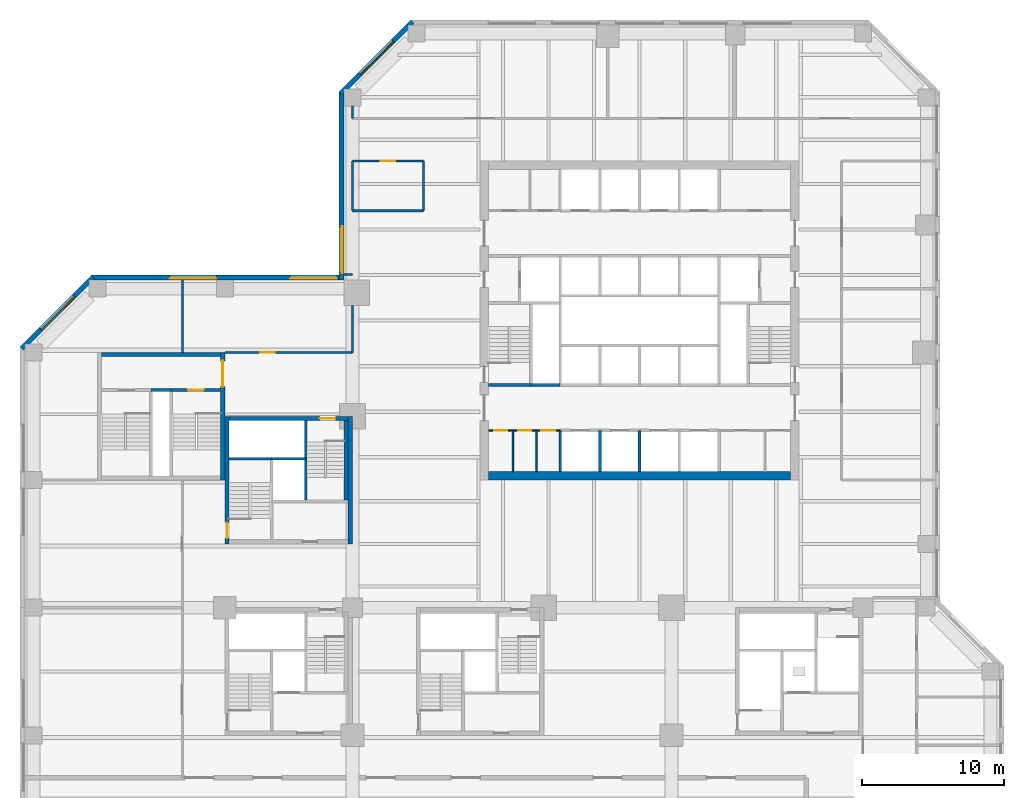
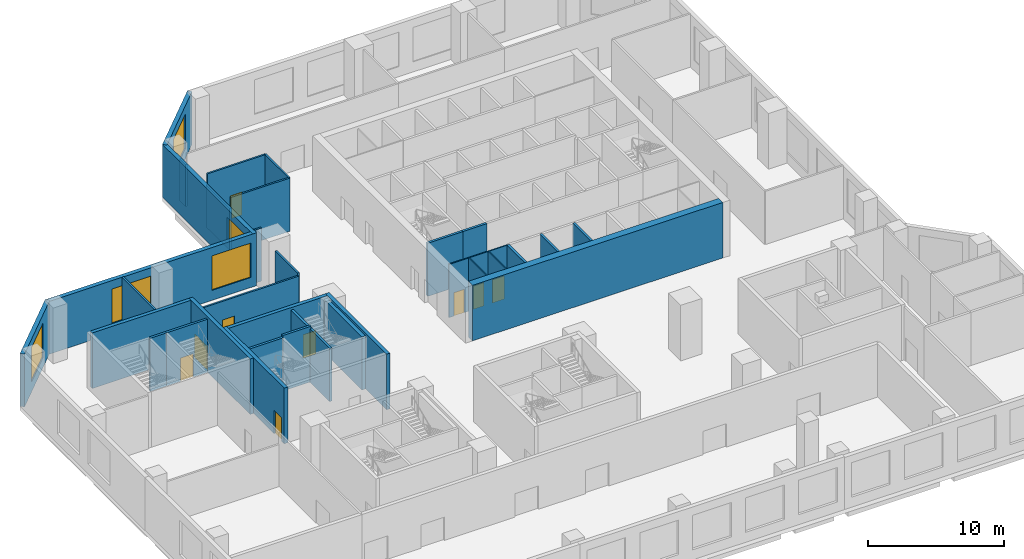
# One storey, part 6 of 12: 33 walls, 9 doors, 5 windows, 14 openings.
"""IFC4 building model written with IfcOpenShell, lengths in metres."""

from ifc_helpers import new_model, si_unit, direction, frame, frame_2d, origin, place, context, subcontext, project, spatial, rectangle, extrude, material, layer, layer_set, constituent, constituent_set, type_object, element, fill, save


model = new_model("IFC4")

# Units and contexts
model_context = context("Model", 3, precision=1e-05, world=origin(), true_north=direction((0.0, 1.0)))
body_context = subcontext(model_context, "Body", "Model", "MODEL_VIEW")
ifc_project = project(units=[si_unit("LENGTHUNIT", "METRE"), si_unit("AREAUNIT", "SQUARE_METRE"), si_unit("VOLUMEUNIT", "CUBIC_METRE"), si_unit("PLANEANGLEUNIT", "RADIAN"), si_unit("MASSUNIT", "GRAM", prefix="KILO")], contexts=[model_context])

# Site, building, storey
site_placement = place(None, origin())
site = spatial("IfcSite", under=ifc_project, at=site_placement, CompositionType="ELEMENT")
building_placement = place(site_placement, origin())
building = spatial("IfcBuilding", under=site, at=building_placement, Name="Quoin Convention Tower", CompositionType="ELEMENT")
storey_placement = place(building_placement, frame((0.0, 0.0, 13.5)))
storey = spatial("IfcBuildingStorey", under=building, at=storey_placement, Name="L02", CompositionType="ELEMENT", Elevation=13.5)

# Wall, opening, window
ifc_material_1 = material(Name="Brick masonry", Category="masonry")
ifc_layer_1 = layer(ifc_material_1, 0.35009765625)
ifc_layer_set_1 = layer_set([ifc_layer_1], Name="Brick masonry")
wall_type_1 = type_object("IfcWallType", Name="Brick facade wall", PredefinedType="STANDARD", material=ifc_layer_set_1)
wall_1_placement = place(storey_placement, frame((40.230224609375, 81.826416015625, 0.0), z_axis=(0.0, 0.0, 1.0), x_axis=(-0.707106781187, -0.707106781187, 0.0)))
wall_1 = element("IfcWall", 1, at=wall_1_placement, inside=storey, type_object=wall_type_1, Name="fw-L02-40500_81000", PredefinedType="STANDARD", context=body_context, shape_type="SweptSolid", body=[
    extrude(rectangle(XDim=7.151123046875, YDim=0.35009765625, at=frame_2d((3.57568359375, 0.0))), origin(), (0.0, 0.0, 1.0), 4.7548828125),
])
opening_1_placement = place(wall_1_placement, frame((1.925537109375, 0.0, 0.89990234375)))
opening_1 = element("IfcOpeningElement", 2, at=opening_1_placement, cuts=wall_1, Name="Opening W-05", PredefinedType="OPENING", context=body_context, shape_type="SweptSolid", body=[
    extrude(rectangle(XDim=3.300048828125, YDim=3.10009765625, at=frame_2d((1.64990234375, 1.550048828125))), frame((0.0, 0.18505859375, 0.0), z_axis=(0.0, -1.0, 0.0), x_axis=(1.0, 0.0, 0.0)), (0.0, 0.0, 1.0), 0.3701171875),
])
ifc_material_2 = material(Name="Aluminium", Category="aluminium")
ifc_constituent_1 = constituent(ifc_material_2, Name="Frame")
ifc_material_3 = material(Name="Insulated glass", Category="glass")
ifc_constituent_2 = constituent(ifc_material_3, Name="Glazing")
ifc_constituent_set = constituent_set(constituents=[ifc_constituent_1, ifc_constituent_2], Name="Aluminium")
window_type = type_object("IfcWindowType", Name="Convention window L02", PartitioningType="TRIPLE_PANEL_VERTICAL", PredefinedType="WINDOW", material=ifc_constituent_set)
window_1_placement = place(opening_1_placement, origin())
window_1 = element("IfcWindow", 3, at=window_1_placement, inside=storey, type_object=window_type, Name="win-L02-37702_79298", OverallHeight=3.10009765625, OverallWidth=3.300048828125, PartitioningType="SINGLE_PANEL", PredefinedType="WINDOW", context=body_context, shape_type="SweptSolid", body=[
    extrude(rectangle(XDim=3.300048828125, YDim=3.10009765625, at=frame_2d((1.64990234375, 1.550048828125))), frame((0.0, 0.0849609375, 0.0), z_axis=(0.0, -1.0, 0.0), x_axis=(1.0, 0.0, 0.0)), (0.0, 0.0, 1.0), 0.06005859375),
])
fill(opening_1, window_1)

wall_2_placement = place(storey_placement, frame((35.22509765625, 76.8935546875, 0.0), z_axis=(0.0, 0.0, 1.0), x_axis=(0.0, -1.0, 0.0)))
wall_2 = element("IfcWall", 4, at=wall_2_placement, inside=storey, type_object=wall_type_1, Name="fw-L02-36000_76500", PredefinedType="STANDARD", context=body_context, shape_type="SweptSolid", body=[
    extrude(rectangle(XDim=13.29345703125, YDim=0.35009765625, at=frame_2d((6.646728515625, 0.0))), origin(), (0.0, 0.0, 1.0), 4.7548828125),
])
opening_2_placement = place(wall_2_placement, frame((9.493408203125, 0.0, 0.89990234375)))
opening_2 = element("IfcOpeningElement", 5, at=opening_2_placement, cuts=wall_2, Name="Opening W-05", PredefinedType="OPENING", context=body_context, shape_type="SweptSolid", body=[
    extrude(rectangle(XDim=3.300048828125, YDim=3.10009765625, at=frame_2d((1.64990234375, 1.550048828125))), frame((0.0, 0.18505859375, 0.0), z_axis=(0.0, -1.0, 0.0), x_axis=(1.0, 0.0, 0.0)), (0.0, 0.0, 1.0), 0.3701171875),
])
window_2_placement = place(opening_2_placement, origin())
window_2 = element("IfcWindow", 6, at=window_2_placement, inside=storey, type_object=window_type, Name="win-L02-35225_65250", OverallHeight=3.10009765625, OverallWidth=3.300048828125, PartitioningType="SINGLE_PANEL", PredefinedType="WINDOW", context=body_context, shape_type="SweptSolid", body=[
    extrude(rectangle(XDim=3.300048828125, YDim=3.10009765625, at=frame_2d((1.64990234375, 1.550048828125))), frame((0.0, 0.0849609375, 0.0), z_axis=(0.0, -1.0, 0.0), x_axis=(1.0, 0.0, 0.0)), (0.0, 0.0, 1.0), 0.06005859375),
])
fill(opening_2, window_2)

# Wall, openings, windows
wall_3_placement = place(storey_placement, frame((35.39990234375, 63.77490234375, 0.0), z_axis=(0.0, 0.0, 1.0), x_axis=(-1.0, 0.0, 0.0)))
wall_3 = element("IfcWall", 7, at=wall_3_placement, inside=storey, type_object=wall_type_1, Name="fw-L02-36000_63000", PredefinedType="STANDARD", context=body_context, shape_type="SweptSolid", body=[
    extrude(rectangle(XDim=17.79345703125, YDim=0.35009765625, at=frame_2d((8.896728515625, 0.0))), origin(), (0.0, 0.0, 1.0), 4.7548828125),
])
opening_3_placement = place(wall_3_placement, frame((0.5, 0.0, 0.89990234375)))
opening_3 = element("IfcOpeningElement", 8, at=opening_3_placement, cuts=wall_3, Name="Opening W-05", PredefinedType="OPENING", context=body_context, shape_type="SweptSolid", body=[
    extrude(rectangle(XDim=3.300048828125, YDim=3.10009765625, at=frame_2d((1.64990234375, 1.550048828125))), frame((0.0, 0.18505859375, 0.0), z_axis=(0.0, -1.0, 0.0), x_axis=(1.0, 0.0, 0.0)), (0.0, 0.0, 1.0), 0.3701171875),
])
opening_4_placement = place(wall_3_placement, frame((9.0, 0.0, 0.89990234375)))
opening_4 = element("IfcOpeningElement", 9, at=opening_4_placement, cuts=wall_3, Name="Opening W-05", PredefinedType="OPENING", context=body_context, shape_type="SweptSolid", body=[
    extrude(rectangle(XDim=3.300048828125, YDim=3.10009765625, at=frame_2d((1.64990234375, 1.550048828125))), frame((0.0, 0.18505859375, 0.0), z_axis=(0.0, -1.0, 0.0), x_axis=(1.0, 0.0, 0.0)), (0.0, 0.0, 1.0), 0.3701171875),
])
window_3_placement = place(opening_3_placement, origin())
window_3 = element("IfcWindow", 10, at=window_3_placement, inside=storey, type_object=window_type, Name="win-L02-33750_63775", OverallHeight=3.10009765625, OverallWidth=3.300048828125, PartitioningType="SINGLE_PANEL", PredefinedType="WINDOW", context=body_context, shape_type="SweptSolid", body=[
    extrude(rectangle(XDim=3.300048828125, YDim=3.10009765625, at=frame_2d((1.64990234375, 1.550048828125))), frame((0.0, 0.0849609375, 0.0), z_axis=(0.0, -1.0, 0.0), x_axis=(1.0, 0.0, 0.0)), (0.0, 0.0, 1.0), 0.06005859375),
])
fill(opening_3, window_3)
window_4_placement = place(opening_4_placement, origin())
window_4 = element("IfcWindow", 11, at=window_4_placement, inside=storey, type_object=window_type, Name="win-L02-24750_63775", OverallHeight=3.10009765625, OverallWidth=3.300048828125, PartitioningType="SINGLE_PANEL", PredefinedType="WINDOW", context=body_context, shape_type="SweptSolid", body=[
    extrude(rectangle(XDim=3.300048828125, YDim=3.10009765625, at=frame_2d((1.64990234375, 1.550048828125))), frame((0.0, 0.0849609375, 0.0), z_axis=(0.0, -1.0, 0.0), x_axis=(1.0, 0.0, 0.0)), (0.0, 0.0, 1.0), 0.06005859375),
])
fill(opening_4, window_4)

# Wall, opening, window
wall_4_placement = place(storey_placement, frame((17.730224609375, 63.826416015625, 0.0), z_axis=(0.0, 0.0, 1.0), x_axis=(-0.707106781187, -0.707106781187, 0.0)))
wall_4 = element("IfcWall", 12, at=wall_4_placement, inside=storey, type_object=wall_type_1, Name="fw-L02-18000_63000", PredefinedType="STANDARD", context=body_context, shape_type="SweptSolid", body=[
    extrude(rectangle(XDim=7.151123046875, YDim=0.35009765625, at=frame_2d((3.57568359375, 0.0))), origin(), (0.0, 0.0, 1.0), 4.7548828125),
])
opening_5_placement = place(wall_4_placement, frame((1.925537109375, 0.0, 0.89990234375)))
opening_5 = element("IfcOpeningElement", 13, at=opening_5_placement, cuts=wall_4, Name="Opening W-05", PredefinedType="OPENING", context=body_context, shape_type="SweptSolid", body=[
    extrude(rectangle(XDim=3.300048828125, YDim=3.10009765625, at=frame_2d((1.64990234375, 1.550048828125))), frame((0.0, 0.18505859375, 0.0), z_axis=(0.0, -1.0, 0.0), x_axis=(1.0, 0.0, 0.0)), (0.0, 0.0, 1.0), 0.3701171875),
])
window_5_placement = place(opening_5_placement, origin())
window_5 = element("IfcWindow", 14, at=window_5_placement, inside=storey, type_object=window_type, Name="win-L02-15202_61298", OverallHeight=3.10009765625, OverallWidth=3.300048828125, PartitioningType="SINGLE_PANEL", PredefinedType="WINDOW", context=body_context, shape_type="SweptSolid", body=[
    extrude(rectangle(XDim=3.300048828125, YDim=3.10009765625, at=frame_2d((1.64990234375, 1.550048828125))), frame((0.0, 0.0849609375, 0.0), z_axis=(0.0, -1.0, 0.0), x_axis=(1.0, 0.0, 0.0)), (0.0, 0.0, 1.0), 0.06005859375),
])
fill(opening_5, window_5)

# Wall, openings, doors
ifc_material_4 = material(Name="Plasterboard")
ifc_layer_2 = layer(ifc_material_4, 0.012451171875, Name="Finish")
ifc_material_5 = material(Name="Steel stud framing", Category="steel")
ifc_layer_3 = layer(ifc_material_5, 0.074951171875, Name="Structure")
ifc_layer_4 = layer(ifc_material_4, 0.012451171875, Name="Finish")
ifc_layer_set_2 = layer_set([ifc_layer_2, ifc_layer_3, ifc_layer_4], Name="Steel stud framing")
wall_type_2 = type_object("IfcWallType", Name="Core partition wall", PredefinedType="PARTITIONING", material=ifc_layer_set_2)
wall_5_placement = place(storey_placement, frame((45.60009765625, 53.0, 0.0), z_axis=(0.0, 0.0, 1.0), x_axis=(1.0, 0.0, 0.0)))
wall_5 = element("IfcWall", 15, at=wall_5_placement, inside=storey, type_object=wall_type_2, Name="cr-C1-L02-h3500_600", PredefinedType="PARTITIONING", context=body_context, shape_type="SweptSolid", body=[
    extrude(rectangle(XDim=5.0498046875, YDim=0.10009765625, at=frame_2d((2.52490234375, 0.0))), origin(), (0.0, 0.0, 1.0), 4.780029296875),
])
opening_6_placement = place(wall_5_placement, frame((0.408447265625, 0.0, 0.0)))
opening_6 = element("IfcOpeningElement", 16, at=opening_6_placement, cuts=wall_5, Name="Opening DCV1-43", PredefinedType="OPENING", context=body_context, shape_type="SweptSolid", body=[
    extrude(rectangle(XDim=0.89990234375, YDim=2.10009765625, at=frame_2d((0.449951171875, 1.050048828125))), frame((0.0, 0.06005859375, 0.0), z_axis=(0.0, -1.0, 0.0), x_axis=(1.0, 0.0, 0.0)), (0.0, 0.0, 1.0), 0.1201171875),
])
opening_7_placement = place(wall_5_placement, frame((2.10009765625, 0.0, 0.0)))
opening_7 = element("IfcOpeningElement", 17, at=opening_7_placement, cuts=wall_5, Name="Opening DCV1-44", PredefinedType="OPENING", context=body_context, shape_type="SweptSolid", body=[
    extrude(rectangle(XDim=0.89990234375, YDim=2.10009765625, at=frame_2d((0.449951171875, 1.050048828125))), frame((0.0, 0.06005859375, 0.0), z_axis=(0.0, -1.0, 0.0), x_axis=(1.0, 0.0, 0.0)), (0.0, 0.0, 1.0), 0.1201171875),
])
opening_8_placement = place(wall_5_placement, frame((3.716796875, 0.0, 0.0)))
opening_8 = element("IfcOpeningElement", 18, at=opening_8_placement, cuts=wall_5, Name="Opening DCV1-45", PredefinedType="OPENING", context=body_context, shape_type="SweptSolid", body=[
    extrude(rectangle(XDim=1.0, YDim=2.10009765625, at=frame_2d((0.5, 1.050048828125))), frame((0.0, 0.06005859375, 0.0), z_axis=(0.0, -1.0, 0.0), x_axis=(1.0, 0.0, 0.0)), (0.0, 0.0, 1.0), 0.1201171875),
])
ifc_material_6 = material(Name="Steel door leaf", Category="steel")
door_type_1 = type_object("IfcDoorType", Name="Core room door 1000 x 2100", OperationType="SINGLE_SWING_LEFT", PredefinedType="DOOR", material=ifc_material_6)
door_1_placement = place(opening_8_placement, frame((1.0, 0.0, 0.0), z_axis=(0.0, 0.0, 1.0), x_axis=(-1.0, 0.0, 0.0)))
door_1 = element("IfcDoor", 19, at=door_1_placement, inside=storey, type_object=door_type_1, Name="cd-C1-L02-CSW2-lobA-CD0214", OperationType="SINGLE_SWING_LEFT", OverallHeight=2.10009765625, OverallWidth=1.0, PredefinedType="DOOR", context=body_context, shape_type="SweptSolid", body=[
    extrude(rectangle(XDim=1.0, YDim=2.10009765625, at=frame_2d((0.5, 1.050048828125))), frame((0.0, 0.02490234375, 0.0), z_axis=(0.0, -1.0, 0.0), x_axis=(1.0, 0.0, 0.0)), (0.0, 0.0, 1.0), 0.050048828125),
])
fill(opening_8, door_1)
door_type_2 = type_object("IfcDoorType", Name="Core room door 900 x 2100", OperationType="SINGLE_SWING_LEFT", PredefinedType="DOOR", material=ifc_material_6)
door_2_placement = place(opening_6_placement, frame((0.89990234375, 0.0, 0.0), z_axis=(0.0, 0.0, 1.0), x_axis=(-1.0, 0.0, 0.0)))
door_2 = element("IfcDoor", 20, at=door_2_placement, inside=storey, type_object=door_type_2, Name="cd-C1-L02-CSW0-lobA-CD0212", OperationType="SINGLE_SWING_LEFT", OverallHeight=2.10009765625, OverallWidth=0.89990234375, PredefinedType="DOOR", context=body_context, shape_type="SweptSolid", body=[
    extrude(rectangle(XDim=0.89990234375, YDim=2.10009765625, at=frame_2d((0.449951171875, 1.050048828125))), frame((0.0, 0.02490234375, 0.0), z_axis=(0.0, -1.0, 0.0), x_axis=(1.0, 0.0, 0.0)), (0.0, 0.0, 1.0), 0.050048828125),
])
fill(opening_6, door_2)
door_3_placement = place(opening_7_placement, frame((0.89990234375, 0.0, 0.0), z_axis=(0.0, 0.0, 1.0), x_axis=(-1.0, 0.0, 0.0)))
door_3 = element("IfcDoor", 21, at=door_3_placement, inside=storey, type_object=door_type_2, Name="cd-C1-L02-CSW1-lobA-CD0213", OperationType="SINGLE_SWING_LEFT", OverallHeight=2.10009765625, OverallWidth=0.89990234375, PredefinedType="DOOR", context=body_context, shape_type="SweptSolid", body=[
    extrude(rectangle(XDim=0.89990234375, YDim=2.10009765625, at=frame_2d((0.449951171875, 1.050048828125))), frame((0.0, 0.02490234375, 0.0), z_axis=(0.0, -1.0, 0.0), x_axis=(1.0, 0.0, 0.0)), (0.0, 0.0, 1.0), 0.050048828125),
])
fill(opening_7, door_3)

# Walls
for number, where, z_axis, x_axis, name in (
    (22, (47.31689453125, 50.10009765625, 0.0), (0.0, 0.0, 1.0), (0.0, 1.0, 0.0), "cr-C1-L02-v2317_600"),
    (23, (48.9833984375, 50.10009765625, 0.0), (0.0, 0.0, 1.0), (0.0, 1.0, 0.0), "cr-C1-L02-v3984_600"),
):
    element("IfcWall", number, at=place(storey_placement, frame(where, z_axis=z_axis, x_axis=x_axis)), inside=storey, type_object=wall_type_2, Name=name, PredefinedType="PARTITIONING", context=body_context, shape_type="SweptSolid", body=[
        extrude(rectangle(XDim=2.89990234375, YDim=0.10009765625, at=frame_2d((1.449951171875, 0.0))), origin(), (0.0, 0.0, 1.0), 4.780029296875),
    ])
ifc_material_7 = material(Name="Concrete C50", Category="concrete")
ifc_layer_5 = layer(ifc_material_7, 0.199951171875)
ifc_layer_set_3 = layer_set([ifc_layer_5], Name="Concrete C50")
wall_type_3 = type_object("IfcWallType", Name="Core shaft wall", PredefinedType="SOLIDWALL", material=ifc_layer_set_3)
wall_6_placement = place(storey_placement, frame((48.60009765625, 56.199951171875, 0.0), z_axis=(0.0, 0.0, 1.0), x_axis=(1.0, 0.0, 0.0)))
element("IfcWall", 24, at=wall_6_placement, inside=storey, type_object=wall_type_3, Name="cr-C1-L02-h6700_3600", PredefinedType="SOLIDWALL", context=body_context, shape_type="SweptSolid", body=[
    extrude(rectangle(XDim=2.0498046875, YDim=0.199951171875, at=frame_2d((1.02490234375, 0.0))), origin(), (0.0, 0.0, 1.0), 4.780029296875),
])
wall_7_placement = place(storey_placement, frame((45.60009765625, 56.199951171875, 0.0), z_axis=(0.0, 0.0, 1.0), x_axis=(1.0, 0.0, 0.0)))
element("IfcWall", 25, at=wall_7_placement, inside=storey, type_object=wall_type_3, Name="cr-C1-L02-h6700_600", PredefinedType="SOLIDWALL", context=body_context, shape_type="SweptSolid", body=[
    extrude(rectangle(XDim=3.0, YDim=0.199951171875, at=frame_2d((1.5, 0.0))), origin(), (0.0, 0.0, 1.0), 4.780029296875),
])
for number, where, z_axis, x_axis, name in (
    (26, (50.64990234375, 50.10009765625, 0.0), (0.0, 0.0, 1.0), (0.0, 1.0, 0.0), "cr-C1-L02-v5650_600"),
    (27, (53.449951171875, 50.10009765625, 0.0), (0.0, 0.0, 1.0), (0.0, 1.0, 0.0), "cr-C1-L02-v8450_600"),
    (28, (56.25, 50.10009765625, 0.0), (0.0, 0.0, 1.0), (0.0, 1.0, 0.0), "cr-C1-L02-v11250_600"),
):
    element("IfcWall", number, at=place(storey_placement, frame(where, z_axis=z_axis, x_axis=x_axis)), inside=storey, type_object=wall_type_3, Name=name, PredefinedType="SOLIDWALL", context=body_context, shape_type="SweptSolid", body=[
        extrude(rectangle(XDim=2.89990234375, YDim=0.199951171875, at=frame_2d((1.449951171875, 0.0))), origin(), (0.0, 0.0, 1.0), 4.780029296875),
    ])
wall_8_placement = place(storey_placement, frame((27.300048828125, 51.0, 0.0), z_axis=(0.0, 0.0, 1.0), x_axis=(1.0, 0.0, 0.0)))
element("IfcWall", 29, at=wall_8_placement, inside=storey, type_object=wall_type_3, Name="cr-P2-L02-h6000_300", PredefinedType="SOLIDWALL", context=body_context, shape_type="SweptSolid", body=[
    extrude(rectangle(XDim=3.0, YDim=0.199951171875, at=frame_2d((1.5, 0.0))), origin(), (0.0, 0.0, 1.0), 4.780029296875),
])
wall_9_placement = place(storey_placement, frame((32.699951171875, 48.0, 0.0), z_axis=(0.0, 0.0, 1.0), x_axis=(0.0, 1.0, 0.0)))
element("IfcWall", 30, at=wall_9_placement, inside=storey, type_object=wall_type_3, Name="cr-P2-L02-v5700_3000", PredefinedType="SOLIDWALL", context=body_context, shape_type="SweptSolid", body=[
    extrude(rectangle(XDim=5.699951171875, YDim=0.199951171875, at=frame_2d((2.85009765625, 0.0))), origin(), (0.0, 0.0, 1.0), 4.780029296875),
])
wall_10_placement = place(storey_placement, frame((21.800048828125, 55.85009765625, 0.0), z_axis=(0.0, 0.0, 1.0), x_axis=(1.0, 0.0, 0.0)))
element("IfcWall", 31, at=wall_10_placement, inside=storey, type_object=wall_type_3, Name="cr-P6-L02-h6350_3800", PredefinedType="SOLIDWALL", context=body_context, shape_type="SweptSolid", body=[
    extrude(rectangle(XDim=1.39990234375, YDim=0.199951171875, at=frame_2d((0.699951171875, 0.0))), origin(), (0.0, 0.0, 1.0), 4.780029296875),
])

# Wall, opening, door
wall_11_placement = place(storey_placement, frame((23.199951171875, 55.85009765625, 0.0), z_axis=(0.0, 0.0, 1.0), x_axis=(1.0, 0.0, 0.0)))
wall_11 = element("IfcWall", 32, at=wall_11_placement, inside=storey, type_object=wall_type_3, Name="cr-P6-L02-h6350_5200", PredefinedType="SOLIDWALL", context=body_context, shape_type="SweptSolid", body=[
    extrude(rectangle(XDim=3.5, YDim=0.199951171875, at=frame_2d((1.75, 0.0))), origin(), (0.0, 0.0, 1.0), 4.780029296875),
])
opening_9_placement = place(wall_11_placement, frame((1.199951171875, 0.0, 0.0)))
opening_9 = element("IfcOpeningElement", 33, at=opening_9_placement, cuts=wall_11, Name="Opening SD12", PredefinedType="OPENING", context=body_context, shape_type="SweptSolid", body=[
    extrude(rectangle(XDim=1.10009765625, YDim=2.10009765625, at=frame_2d((0.550048828125, 1.050048828125))), frame((0.0, 0.10986328125, 0.0), z_axis=(0.0, -1.0, 0.0), x_axis=(1.0, 0.0, 0.0)), (0.0, 0.0, 1.0), 0.219970703125),
])
door_type_3 = type_object("IfcDoorType", Name="Stair door 1100 x 2100", OperationType="SINGLE_SWING_RIGHT", PredefinedType="DOOR", material=ifc_material_6)
door_4_placement = place(opening_9_placement, origin())
door_4 = element("IfcDoor", 34, at=door_4_placement, inside=storey, type_object=door_type_3, Name="cd-P6-L02-SB-R2-SD12", OperationType="SINGLE_SWING_RIGHT", OverallHeight=2.10009765625, OverallWidth=1.10009765625, PredefinedType="DOOR", context=body_context, shape_type="SweptSolid", body=[
    extrude(rectangle(XDim=1.10009765625, YDim=2.10009765625, at=frame_2d((0.550048828125, 1.050048828125))), frame((0.0, 0.02490234375, 0.0), z_axis=(0.0, -1.0, 0.0), x_axis=(1.0, 0.0, 0.0)), (0.0, 0.0, 1.0), 0.050048828125),
])
fill(opening_9, door_4)

# Walls
ifc_layer_6 = layer(ifc_material_7, 0.199951171875)
ifc_layer_set_4 = layer_set([ifc_layer_6], Name="Concrete C50")
wall_type_4 = type_object("IfcWallType", Name="Core shaft wall to the floor level over", PredefinedType="SOLIDWALL", material=ifc_layer_set_4)
wall_12_placement = place(storey_placement, frame((30.300048828125, 51.0, 0.0), z_axis=(0.0, 0.0, 1.0), x_axis=(1.0, 0.0, 0.0)))
element("IfcWall", 35, at=wall_12_placement, inside=storey, type_object=wall_type_4, Name="cr-P2-L02-h6000_3300", PredefinedType="SOLIDWALL", context=body_context, shape_type="SweptSolid", body=[
    extrude(rectangle(XDim=2.39990234375, YDim=0.199951171875, at=frame_2d((1.199951171875, 0.0))), origin(), (0.0, 0.0, 1.0), 5.0),
])
ifc_layer_7 = layer(ifc_material_4, 0.012451171875, Name="Finish")
ifc_layer_8 = layer(ifc_material_5, 0.125, Name="Structure")
ifc_layer_9 = layer(ifc_material_4, 0.012451171875, Name="Finish")
ifc_layer_set_5 = layer_set([ifc_layer_7, ifc_layer_8, ifc_layer_9], Name="Steel stud framing")
wall_type_5 = type_object("IfcWallType", Name="Partition wall 150", PredefinedType="PARTITIONING", material=ifc_layer_set_5)
wall_13_placement = place(storey_placement, frame((24.0, 58.5, 0.0), z_axis=(0.0, 0.0, 1.0), x_axis=(0.0, 1.0, 0.0)))
element("IfcWall", 36, at=wall_13_placement, inside=storey, type_object=wall_type_5, Name="pw-L02-025", PredefinedType="PARTITIONING", context=body_context, shape_type="SweptSolid", body=[
    extrude(rectangle(XDim=5.10009765625, YDim=0.14990234375, at=frame_2d((2.550048828125, 0.0))), origin(), (0.0, 0.0, 1.0), 4.780029296875),
])
wall_14_placement = place(storey_placement, frame((35.39990234375, 64.0, 0.0), z_axis=(0.0, 0.0, 1.0), x_axis=(1.0, 0.0, 0.0)))
element("IfcWall", 37, at=wall_14_placement, inside=storey, type_object=wall_type_5, Name="pw-L02-029", PredefinedType="PARTITIONING", context=body_context, shape_type="SweptSolid", body=[
    extrude(rectangle(XDim=0.60009765625, YDim=0.14990234375, at=frame_2d((0.300048828125, 0.0))), origin(), (0.0, 0.0, 1.0), 4.780029296875),
])
wall_15_placement = place(storey_placement, frame((36.0, 68.5, 0.0), z_axis=(0.0, 0.0, 1.0), x_axis=(1.0, 0.0, 0.0)))
element("IfcWall", 38, at=wall_15_placement, inside=storey, type_object=wall_type_5, Name="pw-L02-030", PredefinedType="PARTITIONING", context=body_context, shape_type="SweptSolid", body=[
    extrude(rectangle(XDim=5.0, YDim=0.14990234375, at=frame_2d((2.5, 0.0))), origin(), (0.0, 0.0, 1.0), 4.780029296875),
])
wall_16_placement = place(storey_placement, frame((41.0, 68.5, 0.0), z_axis=(0.0, 0.0, 1.0), x_axis=(0.0, 1.0, 0.0)))
element("IfcWall", 39, at=wall_16_placement, inside=storey, type_object=wall_type_5, Name="pw-L02-032", PredefinedType="PARTITIONING", context=body_context, shape_type="SweptSolid", body=[
    extrude(rectangle(XDim=3.5, YDim=0.14990234375, at=frame_2d((1.75, 0.0))), origin(), (0.0, 0.0, 1.0), 4.780029296875),
])

# Wall, opening, door
wall_17_placement = place(storey_placement, frame((36.0, 72.0, 0.0), z_axis=(0.0, 0.0, 1.0), x_axis=(1.0, 0.0, 0.0)))
wall_17 = element("IfcWall", 40, at=wall_17_placement, inside=storey, type_object=wall_type_5, Name="pw-L02-033", PredefinedType="PARTITIONING", context=body_context, shape_type="SweptSolid", body=[
    extrude(rectangle(XDim=5.0, YDim=0.14990234375, at=frame_2d((2.5, 0.0))), origin(), (0.0, 0.0, 1.0), 4.780029296875),
])
opening_10_placement = place(wall_17_placement, frame((2.0, 0.0, 0.0)))
opening_10 = element("IfcOpeningElement", 41, at=opening_10_placement, cuts=wall_17, Name="Opening DPD2-18", PredefinedType="OPENING", context=body_context, shape_type="SweptSolid", body=[
    extrude(rectangle(XDim=1.0, YDim=2.10009765625, at=frame_2d((0.5, 1.050048828125))), frame((0.0, 0.0849609375, 0.0), z_axis=(0.0, -1.0, 0.0), x_axis=(1.0, 0.0, 0.0)), (0.0, 0.0, 1.0), 0.169921875),
])
door_type_4 = type_object("IfcDoorType", Name="Single leaf door 1000", OperationType="SINGLE_SWING_LEFT", PredefinedType="DOOR", material=ifc_material_6)
door_5_placement = place(opening_10_placement, frame((1.0, 0.0, 0.0), z_axis=(0.0, 0.0, 1.0), x_axis=(-1.0, 0.0, 0.0)))
door_5 = element("IfcDoor", 42, at=door_5_placement, inside=storey, type_object=door_type_4, Name="dr-L02-023", OperationType="SINGLE_SWING_LEFT", OverallHeight=2.10009765625, OverallWidth=1.0, PredefinedType="DOOR", context=body_context, shape_type="SweptSolid", body=[
    extrude(rectangle(XDim=1.0, YDim=2.10009765625, at=frame_2d((0.5, 1.050048828125))), frame((0.0, 0.02490234375, 0.0), z_axis=(0.0, -1.0, 0.0), x_axis=(1.0, 0.0, 0.0)), (0.0, 0.0, 1.0), 0.050048828125),
])
fill(opening_10, door_5)

ifc_layer_10 = layer(ifc_material_4, 0.012451171875, Name="Finish")
ifc_layer_11 = layer(ifc_material_5, 0.125, Name="Structure")
ifc_layer_12 = layer(ifc_material_4, 0.012451171875, Name="Finish")
ifc_layer_set_6 = layer_set([ifc_layer_10, ifc_layer_11, ifc_layer_12], Name="Steel stud framing")
wall_type_6 = type_object("IfcWallType", Name="Partition wall 150 under beam 1000", PredefinedType="PARTITIONING", material=ifc_layer_set_6)
wall_18_placement = place(storey_placement, frame((27.0, 58.5, 0.0), z_axis=(0.0, 0.0, 1.0), x_axis=(1.0, 0.0, 0.0)))
wall_18 = element("IfcWall", 43, at=wall_18_placement, inside=storey, type_object=wall_type_6, Name="pw-L02-024", PredefinedType="PARTITIONING", context=body_context, shape_type="SweptSolid", body=[
    extrude(rectangle(XDim=9.0, YDim=0.14990234375, at=frame_2d((4.5, 0.0))), origin(), (0.0, 0.0, 1.0), 3.780029296875),
])
opening_11_placement = place(wall_18_placement, frame((2.5, 0.0, 0.0)))
opening_11 = element("IfcOpeningElement", 44, at=opening_11_placement, cuts=wall_18, Name="Opening DPD2-16", PredefinedType="OPENING", context=body_context, shape_type="SweptSolid", body=[
    extrude(rectangle(XDim=1.0, YDim=2.10009765625, at=frame_2d((0.5, 1.050048828125))), frame((0.0, 0.0849609375, 0.0), z_axis=(0.0, -1.0, 0.0), x_axis=(1.0, 0.0, 0.0)), (0.0, 0.0, 1.0), 0.169921875),
])
door_6_placement = place(opening_11_placement, origin())
door_6 = element("IfcDoor", 45, at=door_6_placement, inside=storey, type_object=door_type_4, Name="dr-L02-017", OperationType="SINGLE_SWING_LEFT", OverallHeight=2.10009765625, OverallWidth=1.0, PredefinedType="DOOR", context=body_context, shape_type="SweptSolid", body=[
    extrude(rectangle(XDim=1.0, YDim=2.10009765625, at=frame_2d((0.5, 1.050048828125))), frame((0.0, 0.02490234375, 0.0), z_axis=(0.0, -1.0, 0.0), x_axis=(1.0, 0.0, 0.0)), (0.0, 0.0, 1.0), 0.050048828125),
])
fill(opening_11, door_6)

# Walls
wall_19_placement = place(storey_placement, frame((36.0, 68.5, 0.0), z_axis=(0.0, 0.0, 1.0), x_axis=(0.0, 1.0, 0.0)))
element("IfcWall", 46, at=wall_19_placement, inside=storey, type_object=wall_type_6, Name="pw-L02-031", PredefinedType="PARTITIONING", context=body_context, shape_type="SweptSolid", body=[
    extrude(rectangle(XDim=3.5, YDim=0.14990234375, at=frame_2d((1.75, 0.0))), origin(), (0.0, 0.0, 1.0), 3.780029296875),
])
wall_20_placement = place(storey_placement, frame((36.0, 75.0, 0.0), z_axis=(0.0, 0.0, 1.0), x_axis=(0.0, 1.0, 0.0)))
element("IfcWall", 47, at=wall_20_placement, inside=storey, type_object=wall_type_6, Name="pw-L02-036", PredefinedType="PARTITIONING", context=body_context, shape_type="SweptSolid", body=[
    extrude(rectangle(XDim=0.89990234375, YDim=0.14990234375, at=frame_2d((0.449951171875, 0.0))), origin(), (0.0, 0.0, 1.0), 3.780029296875),
])
ifc_layer_13 = layer(ifc_material_4, 0.012451171875, Name="Finish")
ifc_layer_14 = layer(ifc_material_5, 0.125, Name="Structure")
ifc_layer_15 = layer(ifc_material_4, 0.012451171875, Name="Finish")
ifc_layer_set_7 = layer_set([ifc_layer_13, ifc_layer_14, ifc_layer_15], Name="Steel stud framing")
wall_type_7 = type_object("IfcWallType", Name="Partition wall 150 under beam 750", PredefinedType="PARTITIONING", material=ifc_layer_set_7)
wall_21_placement = place(storey_placement, frame((36.0, 58.5, 0.0), z_axis=(0.0, 0.0, 1.0), x_axis=(0.0, 1.0, 0.0)))
element("IfcWall", 48, at=wall_21_placement, inside=storey, type_object=wall_type_7, Name="pw-L02-026", PredefinedType="PARTITIONING", context=body_context, shape_type="SweptSolid", body=[
    extrude(rectangle(XDim=3.300048828125, YDim=0.14990234375, at=frame_2d((1.64990234375, 0.0))), origin(), (0.0, 0.0, 1.0), 4.030029296875),
])

# Wall, opening, door
ifc_material_8 = material(Name="Concrete C100 (100 MPa)", Category="concrete")
ifc_layer_16 = layer(ifc_material_8, 0.300048828125)
ifc_layer_set_8 = layer_set([ifc_layer_16], Name="Concrete C100 (100 MPa)")
wall_type_8 = type_object("IfcWallType", Name="RC CORE WALL 300 C100", PredefinedType="SHEAR", material=ifc_layer_set_8)
wall_22_placement = place(storey_placement, frame((27.300048828125, 53.85009765625, 0.0), z_axis=(0.0, 0.0, 1.0), x_axis=(1.0, 0.0, 0.0)))
wall_22 = element("IfcWall", 49, at=wall_22_placement, inside=storey, type_object=wall_type_8, Name="cwl-P2-L02-N", PredefinedType="SHEAR", context=body_context, shape_type="SweptSolid", body=[
    extrude(rectangle(XDim=8.39990234375, YDim=0.300048828125, at=frame_2d((4.199951171875, 0.0))), origin(), (0.0, 0.0, 1.0), 5.0),
])
opening_12_placement = place(wall_22_placement, frame((6.39990234375, 0.0, 0.0)))
opening_12 = element("IfcOpeningElement", 50, at=opening_12_placement, cuts=wall_22, Name="Opening SD4", PredefinedType="OPENING", context=body_context, shape_type="SweptSolid", body=[
    extrude(rectangle(XDim=1.10009765625, YDim=2.10009765625, at=frame_2d((0.550048828125, 1.050048828125))), frame((0.0, 0.159912109375, 0.0), z_axis=(0.0, -1.0, 0.0), x_axis=(1.0, 0.0, 0.0)), (0.0, 0.0, 1.0), 0.320068359375),
])
door_7_placement = place(opening_12_placement, frame((1.10009765625, 0.0, 0.0), z_axis=(0.0, 0.0, 1.0), x_axis=(-1.0, 0.0, 0.0)))
door_7 = element("IfcDoor", 51, at=door_7_placement, inside=storey, type_object=door_type_3, Name="cd-P2-L02-SB-N", OperationType="SINGLE_SWING_LEFT", OverallHeight=2.10009765625, OverallWidth=1.10009765625, PredefinedType="DOOR", context=body_context, shape_type="SweptSolid", body=[
    extrude(rectangle(XDim=1.10009765625, YDim=2.10009765625, at=frame_2d((0.550048828125, 1.050048828125))), frame((0.0, 0.02490234375, 0.0), z_axis=(0.0, -1.0, 0.0), x_axis=(1.0, 0.0, 0.0)), (0.0, 0.0, 1.0), 0.050048828125),
])
fill(opening_12, door_7)

wall_23_placement = place(storey_placement, frame((27.14990234375, 45.0, 0.0), z_axis=(0.0, 0.0, 1.0), x_axis=(0.0, 1.0, 0.0)))
wall_23 = element("IfcWall", 52, at=wall_23_placement, inside=storey, type_object=wall_type_8, Name="cwl-P2-L02-W", PredefinedType="SHEAR", context=body_context, shape_type="SweptSolid", body=[
    extrude(rectangle(XDim=9.0, YDim=0.300048828125, at=frame_2d((4.5, 0.0))), origin(), (0.0, 0.0, 1.0), 5.0),
])
opening_13_placement = place(wall_23_placement, frame((0.39990234375, 0.0, 0.0)))
opening_13 = element("IfcOpeningElement", 53, at=opening_13_placement, cuts=wall_23, Name="Opening SD3", PredefinedType="OPENING", context=body_context, shape_type="SweptSolid", body=[
    extrude(rectangle(XDim=1.10009765625, YDim=2.10009765625, at=frame_2d((0.550048828125, 1.050048828125))), frame((0.0, 0.159912109375, 0.0), z_axis=(0.0, -1.0, 0.0), x_axis=(1.0, 0.0, 0.0)), (0.0, 0.0, 1.0), 0.320068359375),
])
door_8_placement = place(opening_13_placement, frame((1.10009765625, 0.0, 0.0), z_axis=(0.0, 0.0, 1.0), x_axis=(-1.0, 0.0, 0.0)))
door_8 = element("IfcDoor", 54, at=door_8_placement, inside=storey, type_object=door_type_3, Name="cd-P2-L02-SA-W", OperationType="SINGLE_SWING_RIGHT", OverallHeight=2.10009765625, OverallWidth=1.10009765625, PredefinedType="DOOR", context=body_context, shape_type="SweptSolid", body=[
    extrude(rectangle(XDim=1.10009765625, YDim=2.10009765625, at=frame_2d((0.550048828125, 1.050048828125))), frame((0.0, 0.02490234375, 0.0), z_axis=(0.0, -1.0, 0.0), x_axis=(1.0, 0.0, 0.0)), (0.0, 0.0, 1.0), 0.050048828125),
])
fill(opening_13, door_8)

# Walls
wall_24_placement = place(storey_placement, frame((35.85009765625, 45.0, 0.0), z_axis=(0.0, 0.0, 1.0), x_axis=(0.0, 1.0, 0.0)))
element("IfcWall", 55, at=wall_24_placement, inside=storey, type_object=wall_type_8, Name="cwl-P2-L02-E", PredefinedType="SHEAR", context=body_context, shape_type="SweptSolid", body=[
    extrude(rectangle(XDim=9.0, YDim=0.300048828125, at=frame_2d((4.5, 0.0))), origin(), (0.0, 0.0, 1.0), 5.0),
])
wall_25_placement = place(storey_placement, frame((18.300048828125, 58.35009765625, 0.0), z_axis=(0.0, 0.0, 1.0), x_axis=(1.0, 0.0, 0.0)))
element("IfcWall", 56, at=wall_25_placement, inside=storey, type_object=wall_type_8, Name="cwl-P6-L02-N", PredefinedType="SHEAR", context=body_context, shape_type="SweptSolid", body=[
    extrude(rectangle(XDim=8.39990234375, YDim=0.300048828125, at=frame_2d((4.199951171875, 0.0))), origin(), (0.0, 0.0, 1.0), 5.0),
])

# Wall, opening, door
wall_26_placement = place(storey_placement, frame((26.85009765625, 49.5, 0.0), z_axis=(0.0, 0.0, 1.0), x_axis=(0.0, 1.0, 0.0)))
wall_26 = element("IfcWall", 57, at=wall_26_placement, inside=storey, type_object=wall_type_8, Name="cwl-P6-L02-E", PredefinedType="SHEAR", context=body_context, shape_type="SweptSolid", body=[
    extrude(rectangle(XDim=9.0, YDim=0.300048828125, at=frame_2d((4.5, 0.0))), origin(), (0.0, 0.0, 1.0), 5.0),
])
opening_14_placement = place(wall_26_placement, frame((6.60009765625, 0.0, 0.0)))
opening_14 = element("IfcOpeningElement", 58, at=opening_14_placement, cuts=wall_26, Name="Opening DCV1-54", PredefinedType="OPENING", context=body_context, shape_type="SweptSolid", body=[
    extrude(rectangle(XDim=1.800048828125, YDim=2.10009765625, at=frame_2d((0.89990234375, 1.050048828125))), frame((0.0, 0.159912109375, 0.0), z_axis=(0.0, -1.0, 0.0), x_axis=(1.0, 0.0, 0.0)), (0.0, 0.0, 1.0), 0.320068359375),
])
door_type_5 = type_object("IfcDoorType", Name="Goods lobby door 1800 x 2100", OperationType="SINGLE_SWING_LEFT", PredefinedType="DOOR", material=ifc_material_6)
door_9_placement = place(opening_14_placement, origin())
door_9 = element("IfcDoor", 59, at=door_9_placement, inside=storey, type_object=door_type_5, Name="cd-P6-L02-R2-E", OperationType="SINGLE_SWING_LEFT", OverallHeight=2.10009765625, OverallWidth=1.800048828125, PredefinedType="DOOR", context=body_context, shape_type="SweptSolid", body=[
    extrude(rectangle(XDim=1.800048828125, YDim=2.10009765625, at=frame_2d((0.89990234375, 1.050048828125))), frame((0.0, 0.02490234375, 0.0), z_axis=(0.0, -1.0, 0.0), x_axis=(1.0, 0.0, 0.0)), (0.0, 0.0, 1.0), 0.050048828125),
])
fill(opening_14, door_9)

# Walls
ifc_layer_17 = layer(ifc_material_8, 0.60009765625)
ifc_layer_set_9 = layer_set([ifc_layer_17], Name="Concrete C100 (100 MPa)")
wall_type_9 = type_object("IfcWallType", Name="RC CORE WALL 600 C100", PredefinedType="SHEAR", material=ifc_layer_set_9)
wall_27_placement = place(storey_placement, frame((45.60009765625, 49.800048828125, 0.0), z_axis=(0.0, 0.0, 1.0), x_axis=(1.0, 0.0, 0.0)))
element("IfcWall", 60, at=wall_27_placement, inside=storey, type_object=wall_type_9, Name="cwl-C1-L02-S", PredefinedType="SHEAR", context=body_context, shape_type="SweptSolid", body=[
    extrude(rectangle(XDim=21.2998046875, YDim=0.60009765625, at=frame_2d((10.64990234375, 0.0))), origin(), (0.0, 0.0, 1.0), 5.0),
])
ifc_layer_18 = layer(ifc_material_7, 0.300048828125)
ifc_layer_set_10 = layer_set([ifc_layer_18], Name="Concrete C50")
wall_type_10 = type_object("IfcWallType", Name="Stair cell lining wall 300", PredefinedType="SOLIDWALL", material=ifc_layer_set_10)
wall_28_placement = place(storey_placement, frame((35.550048828125, 48.10009765625, 0.0), z_axis=(0.0, 0.0, 1.0), x_axis=(0.0, 1.0, 0.0)))
element("IfcWall", 61, at=wall_28_placement, inside=storey, type_object=wall_type_10, Name="cr-P2-L02-linSD4", PredefinedType="SOLIDWALL", context=body_context, shape_type="SweptSolid", body=[
    extrude(rectangle(XDim=5.599853515625, YDim=0.300048828125, at=frame_2d((2.7998046875, 0.0))), origin(), (0.0, 0.0, 1.0), 4.780029296875),
])

save(model, "model.ifc")
